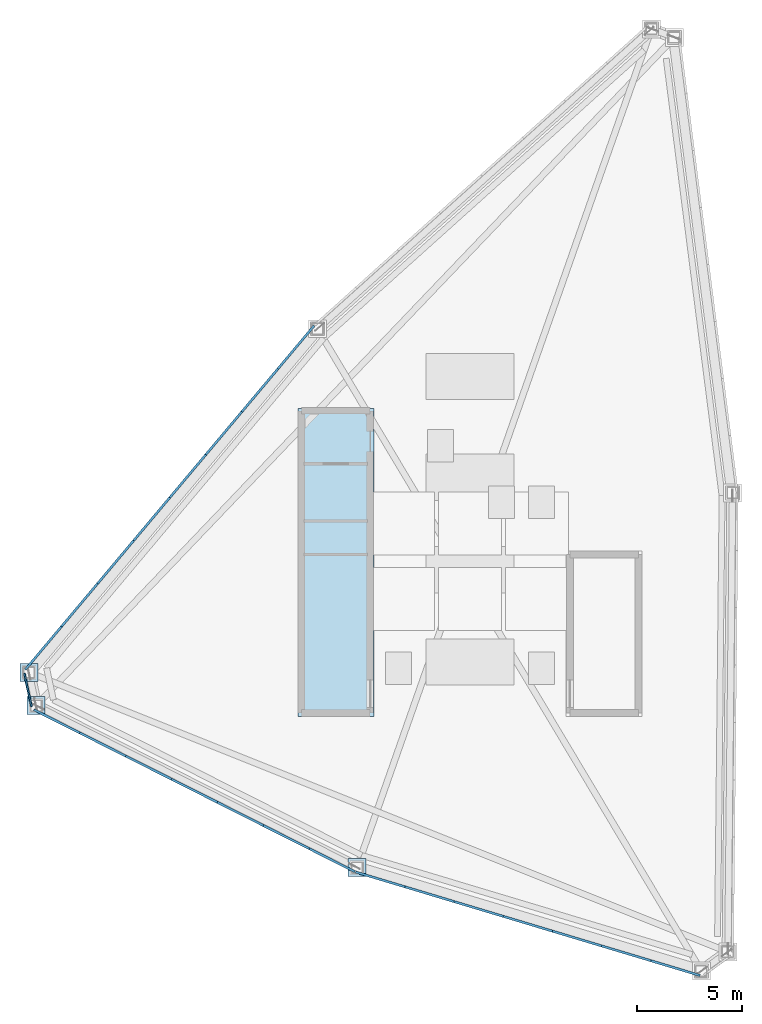
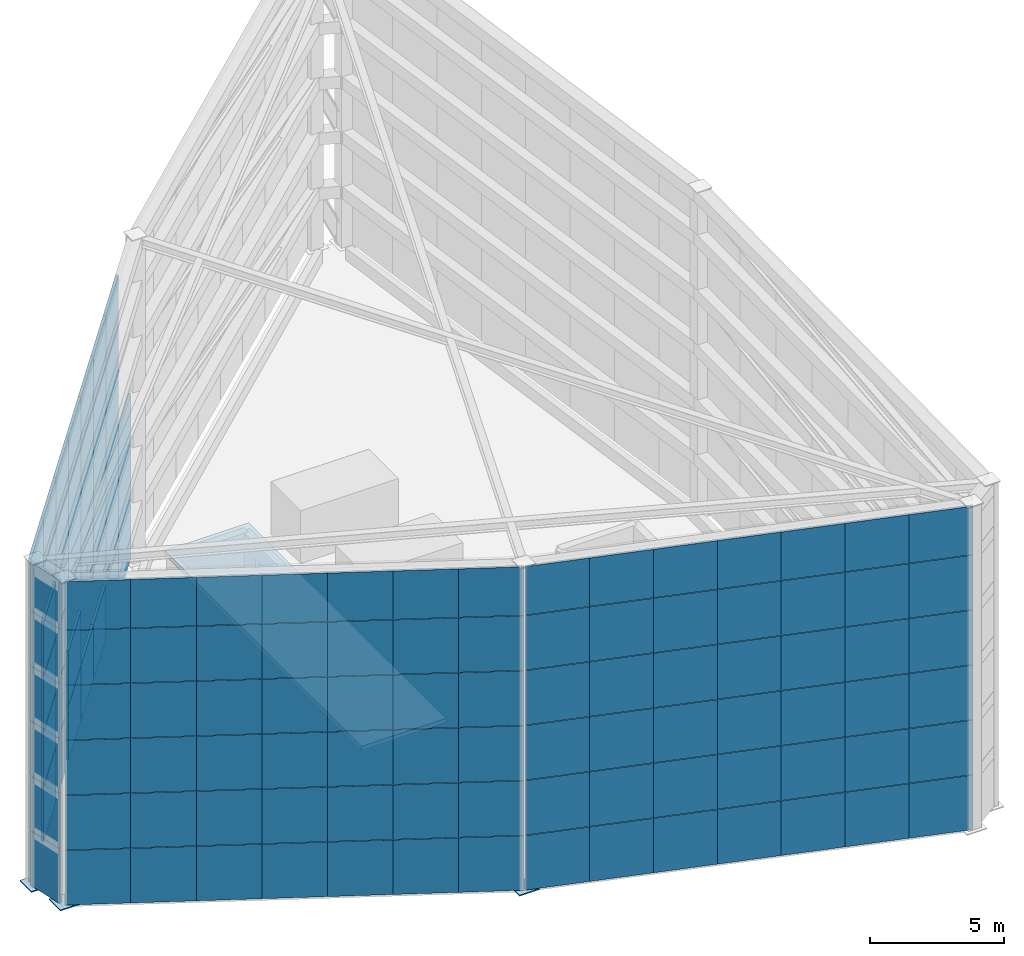
# One storey, part 2 of 9: 138 plates, 1 slab.
"""IFC4 building model written with IfcOpenShell, lengths in metres."""

import ifcopenshell
import ifcopenshell.guid

model = None  # the IFC model being written
_history = None  # IfcOwnerHistory: only IFC2X3 demands one
_inside = {}  # id of a spatial element -> (the spatial element, [elements in it])
_under = {}  # id of a project, library or spatial element -> (it, [spatial elements below it])
_declared = {}  # id of a project -> (the project, [libraries it declares])
_typed = {}  # id of a type object -> (the type object, [elements of that type])
_made_of = {}  # id of a material, layer set ... -> (it, [elements and type objects made of it])


def new_model(schema):
    """Start an empty IFC model of exactly this schema.

    Asked for "IFC4X3", IfcOpenShell would pick the latest addendum, in which some entities
    have other attributes; the version numbers below select the first issue.
    IFC2X3 requires an IfcOwnerHistory on every rooted entity: one is made here for all.
    """
    global model, _history
    if schema == "IFC4X3":
        model = ifcopenshell.file(schema_version=(4, 3, 0, 0))
    else:
        model = ifcopenshell.file(schema=schema)
    _inside.clear()
    _under.clear()
    _declared.clear()
    _typed.clear()
    _made_of.clear()
    _history = None
    if model.schema == "IFC2X3":
        org = make("IfcOrganization", Name="unknown")
        user = make(
            "IfcPersonAndOrganization",
            ThePerson=make("IfcPerson", FamilyName="unknown"),
            TheOrganization=org,
        )
        app = make(
            "IfcApplication",
            ApplicationDeveloper=org,
            Version="unknown",
            ApplicationFullName="unknown",
            ApplicationIdentifier="unknown",
        )
        _history = make(
            "IfcOwnerHistory",
            OwningUser=user,
            OwningApplication=app,
            ChangeAction="ADDED",
            CreationDate=0,
        )
    return model


def make(cls, **values):
    """One entity of the class cls with the attributes given. An attribute that is None is left unset."""
    return model.create_entity(
        cls, **{name: value for name, value in values.items() if value is not None}
    )


def rooted(cls, **values):
    """An entity with a GlobalId (a new one), such as an element, a storey or a relation."""
    return make(cls, GlobalId=ifcopenshell.guid.new(), OwnerHistory=_history, **values)


def si_unit(unit_type, name, prefix=None):
    """IfcSIUnit, for example si_unit("LENGTHUNIT", "METRE", prefix="MILLI")."""
    return make("IfcSIUnit", UnitType=unit_type, Prefix=prefix, Name=name)


def assignment(units):
    """IfcUnitAssignment: the units of a project."""
    return None if units is None else make("IfcUnitAssignment", Units=units)


def point(xyz):
    """IfcCartesianPoint."""
    return None if xyz is None else make("IfcCartesianPoint", Coordinates=xyz)


def direction(xyz):
    """IfcDirection."""
    return None if xyz is None else make("IfcDirection", DirectionRatios=xyz)


def frame(location, z_axis=None, x_axis=None):
    """IfcAxis2Placement3D, a coordinate frame: its origin and axes. An axis left out is left unset."""
    return make(
        "IfcAxis2Placement3D",
        Location=point(location),
        Axis=direction(z_axis),
        RefDirection=direction(x_axis),
    )


def frame_2d(location, x_axis=None):
    """IfcAxis2Placement2D, a coordinate frame in the plane: its origin and x axis."""
    return make(
        "IfcAxis2Placement2D", Location=point(location), RefDirection=direction(x_axis)
    )


def origin():
    """The frame at (0, 0, 0) with its axes left unset."""
    return frame((0.0, 0.0, 0.0))


def origin_2d():
    """The frame at (0, 0) in the plane with its x axis left unset."""
    return frame_2d((0.0, 0.0))


def place(relative_to, where):
    """IfcLocalPlacement: puts the frame where relative to a parent placement (None: the world)."""
    return make(
        "IfcLocalPlacement", PlacementRelTo=relative_to, RelativePlacement=where
    )


def context(
    kind, dimensions, precision=None, world=None, true_north=None, identifier=None
):
    """IfcGeometricRepresentationContext, for example the 3D "Model" context."""
    return make(
        "IfcGeometricRepresentationContext",
        ContextIdentifier=identifier,
        ContextType=kind,
        CoordinateSpaceDimension=dimensions,
        Precision=precision,
        WorldCoordinateSystem=world,
        TrueNorth=true_north,
    )


def subcontext(parent, identifier, kind, view, scale=None):
    """IfcGeometricRepresentationSubContext, for example "Body" below "Model"."""
    return make(
        "IfcGeometricRepresentationSubContext",
        ContextIdentifier=identifier,
        ContextType=kind,
        ParentContext=parent,
        TargetScale=scale,
        TargetView=view,
    )


def project(units=None, contexts=None):
    """IfcProject with its units and contexts."""
    return rooted(
        "IfcProject",
        Name="project",
        RepresentationContexts=contexts,
        UnitsInContext=assignment(units),
    )


def spatial(cls, under=None, at=None, **own):
    """A site, building, storey or space (cls), placed at a placement, below another one or the project."""
    s = rooted(cls, ObjectPlacement=at, **own)
    if under is not None:
        _under.setdefault(under.id(), (under, []))[1].append(s)
    return s


def polyline(points):
    """IfcPolyline through the points."""
    return make("IfcPolyline", Points=[point(p) for p in points])


def profile(cls, at=None, kind="AREA", **sizes):
    """A parametric profile (cls). Its sizes go by their IFC names, for example OverallWidth=200.0."""
    return make(cls, ProfileType=kind, Position=at, **sizes)


def rectangle(**sizes):
    """IfcRectangleProfileDef."""
    return profile("IfcRectangleProfileDef", **sizes)


def outline(outer, holes=None, kind="AREA"):
    """IfcArbitraryClosedProfileDef: a profile drawn as a closed curve; with holes, ...WithVoids."""
    if holes is None:
        return make("IfcArbitraryClosedProfileDef", ProfileType=kind, OuterCurve=outer)
    return make(
        "IfcArbitraryProfileDefWithVoids",
        ProfileType=kind,
        OuterCurve=outer,
        InnerCurves=holes,
    )


def extrude(swept, where, along, depth):
    """IfcExtrudedAreaSolid: the profile swept, set in the frame where, extruded along a direction by depth."""
    return make(
        "IfcExtrudedAreaSolid",
        SweptArea=swept,
        Position=where,
        ExtrudedDirection=direction(along),
        Depth=depth,
    )


def shape(context_of_items, identifier, shape_type, items):
    """IfcShapeRepresentation: the items that make up one representation, for example the "Body"."""
    return make(
        "IfcShapeRepresentation",
        ContextOfItems=context_of_items,
        RepresentationIdentifier=identifier,
        RepresentationType=shape_type,
        Items=items,
    )


def source(mapping_origin, context_of_items, identifier, shape_type, items):
    """IfcRepresentationMap: a shape defined once, which mapped items show again and again."""
    return make(
        "IfcRepresentationMap",
        MappingOrigin=mapping_origin,
        MappedRepresentation=shape(context_of_items, identifier, shape_type, items),
    )


def transform(
    local_origin,
    x_axis=None,
    y_axis=None,
    z_axis=None,
    scale=None,
    scale2=None,
    scale3=None,
    uniform=True,
):
    """IfcCartesianTransformationOperator3D, or its non-uniform kind. x_axis, y_axis, z_axis: its Axis1, 2, 3."""
    if uniform:
        return make(
            "IfcCartesianTransformationOperator3D",
            Axis1=direction(x_axis),
            Axis2=direction(y_axis),
            LocalOrigin=point(local_origin),
            Scale=scale,
            Axis3=direction(z_axis),
        )
    return make(
        "IfcCartesianTransformationOperator3DnonUniform",
        Axis1=direction(x_axis),
        Axis2=direction(y_axis),
        LocalOrigin=point(local_origin),
        Scale=scale,
        Axis3=direction(z_axis),
        Scale2=scale2,
        Scale3=scale3,
    )


def mapped(mapping_source, mapping_target):
    """IfcMappedItem: shows the shape of a source again, moved by a transform."""
    return make(
        "IfcMappedItem", MappingSource=mapping_source, MappingTarget=mapping_target
    )


def material(Name=None, Category=None):
    """IfcMaterial."""
    return make("IfcMaterial", Name=Name, Category=Category)


def layer(
    of_material, thickness, ventilated=None, Name=None, Category=None, Priority=None
):
    """IfcMaterialLayer: one layer of a wall or slab, of a material (None: an air gap)."""
    return make(
        "IfcMaterialLayer",
        Material=of_material,
        LayerThickness=thickness,
        IsVentilated=ventilated,
        Name=Name,
        Category=Category,
        Priority=Priority,
    )


def layer_set(layers, Name=None):
    """IfcMaterialLayerSet."""
    return make("IfcMaterialLayerSet", MaterialLayers=layers, LayerSetName=Name)


def made_of(thing, what):
    """Note that an element or type object is made of a material, layer set ...; save() writes the relation."""
    if what is not None:
        _made_of.setdefault(what.id(), (what, []))[1].append(thing)
    return thing


def type_object(cls, material=None, **own):
    """A type object (cls), such as IfcWallType, which elements share."""
    return made_of(rooted(cls, **own), material)


def element(
    cls,
    number,
    at=None,
    inside=None,
    cuts=None,
    type_object=None,
    material=None,
    context=None,
    identifier="Body",
    shape_type=None,
    held_by="IfcProductDefinitionShape",
    body=None,
    shapes=None,
    **own,
):
    """One element of the class cls, such as IfcWall. Its Tag is "e" and its number.

    at: its placement. inside: the storey or other place that contains it. cuts: it is an
    opening in that element (IfcRelVoidsElement). A single representation is given by context,
    identifier, shape_type and body (its items); several are given by shapes. held_by: the class
    of the entity that holds the representations. save() writes the other relations.
    """
    e = rooted(cls, Tag="e%d" % number, ObjectPlacement=at, **own)
    if body is not None:
        shapes = [shape(context, identifier, shape_type, body)]
    if shapes is not None:
        e.Representation = make(held_by, Representations=shapes)
    if inside is not None:
        _inside.setdefault(inside.id(), (inside, []))[1].append(e)
    if cuts is not None:
        rooted(
            "IfcRelVoidsElement", RelatingBuildingElement=cuts, RelatedOpeningElement=e
        )
    if type_object is not None:
        _typed.setdefault(type_object.id(), (type_object, []))[1].append(e)
    return made_of(e, material)


def aggregate(whole, parts):
    """IfcRelAggregates: a whole, such as a stair, and the parts it consists of."""
    return rooted("IfcRelAggregates", RelatingObject=whole, RelatedObjects=parts)


def save(model, path):
    """Write the relations noted so far, then the file.

    IfcRelAggregates (storeys below a building ...), IfcRelContainedInSpatialStructure (elements
    in a storey), IfcRelDefinesByType, IfcRelAssociatesMaterial and IfcRelDeclares: one each for
    every whole, place, type object, material and project.
    """
    for whole, parts in _under.values():
        aggregate(whole, parts)
    for where, things in _inside.values():
        rooted(
            "IfcRelContainedInSpatialStructure",
            RelatedElements=things,
            RelatingStructure=where,
        )
    for kind, things in _typed.values():
        rooted("IfcRelDefinesByType", RelatedObjects=things, RelatingType=kind)
    for what, things in _made_of.values():
        rooted("IfcRelAssociatesMaterial", RelatedObjects=things, RelatingMaterial=what)
    for by, libraries in _declared.values():
        rooted("IfcRelDeclares", RelatingContext=by, RelatedDefinitions=libraries)
    model.write(path)


model = new_model("IFC4")

# Units and contexts
model_context = context("Model", 3, precision=1e-05, world=origin(), true_north=direction((0.0, 1.0)))
body_context = subcontext(model_context, "Body", "Model", "MODEL_VIEW")
ifc_project = project(units=[si_unit("LENGTHUNIT", "METRE"), si_unit("AREAUNIT", "SQUARE_METRE"), si_unit("VOLUMEUNIT", "CUBIC_METRE"), si_unit("PLANEANGLEUNIT", "RADIAN"), si_unit("MASSUNIT", "GRAM", prefix="KILO")], contexts=[model_context])

# Site, building, storey
site_placement = place(None, origin())
site = spatial("IfcSite", under=ifc_project, at=site_placement, CompositionType="ELEMENT")
building_placement = place(site_placement, origin())
building = spatial("IfcBuilding", under=site, at=building_placement, Name="Olszyna Solenne Hotel", CompositionType="ELEMENT")
storey_placement = place(building_placement, frame((0.0, 0.0, 295.0)))
storey = spatial("IfcBuildingStorey", under=building, at=storey_placement, Name="Roof Crown", CompositionType="ELEMENT", Elevation=295.0)

# Slab
ifc_material_1 = material(Name="Concrete C40/50", Category="concrete")
ifc_layer = layer(ifc_material_1, 0.18994140625, Name="Concrete C40/50")
ifc_layer_set = layer_set([ifc_layer], Name="Concrete C40/50")
slab_type = type_object("IfcSlabType", Name="SL-LN190", PredefinedType="LANDING", material=ifc_layer_set)
slab_placement = place(storey_placement, frame((0.0, 0.0, 2.800048828125)))
element("IfcSlab", 1, at=slab_placement, inside=storey, type_object=slab_type, Name="Stair ST1 bulkhead top cap slab SL-CRN-ST1", PredefinedType="LANDING", context=body_context, shape_type="SweptSolid", body=[
    extrude(outline(polyline([(29.800048828125, 19.199951171875), (33.419921875, 19.199951171875), (33.419921875, 33.8798828125), (29.800048828125, 33.8798828125), (29.800048828125, 19.199951171875)])), origin(), (0.0, 0.0, 1.0), 0.18994140625),
])

# Plates
ifc_material_2 = material(Name="Steel S460M", Category="steel")
plate_type_1 = type_object("IfcPlateType", Name="GP-BP1", PredefinedType="USERDEFINED", material=ifc_material_2)
shared_shape_1 = source(origin(), body_context, "Body", "SweptSolid", [
    extrude(rectangle(XDim=0.85009765625, YDim=0.85009765625, at=origin_2d()), origin(), (0.0, 0.0, 1.0), 0.050048828125),
])
for number, where, z_axis, x_axis, name in (
    (2, (16.998779296875, 21.30419921875, -0.0498046875), (0.0, 0.0, 1.0), (1.0, 0.0, 0.0), "Crown frame baseplate GP-BP1 BP-CF-04"),
    (3, (17.33740234375, 19.724609375, -0.0498046875), (0.0, 0.0, 1.0), (1.0, 0.0, 0.0), "Crown frame baseplate GP-BP1 BP-CF-05"),
    (4, (32.621337890625, 12.012451171875, -0.0498046875), (0.0, 0.0, 1.0), (1.0, 0.0, 0.0), "Crown frame baseplate GP-BP1 BP-CF-06"),
):
    element("IfcPlate", number, at=place(storey_placement, frame(where, z_axis=z_axis, x_axis=x_axis)), inside=storey, type_object=plate_type_1, Name=name, ObjectType="GUSSET_PLATE", PredefinedType="USERDEFINED", context=body_context, shape_type="MappedRepresentation", body=[
        mapped(shared_shape_1, transform((0.0, 0.0, 0.0), x_axis=(1.0, 0.0, 0.0), y_axis=(0.0, 1.0, 0.0), z_axis=(0.0, 0.0, 1.0), scale=1.0)),
    ])
ifc_material_3 = material(Name="Terracotta cladding", Category="masonry")
plate_type_2 = type_object("IfcPlateType", Name="SC-CR1", PredefinedType="USERDEFINED", material=ifc_material_3)
shared_shape_2 = source(origin(), body_context, "Body", "SweptSolid", [
    extrude(rectangle(XDim=2.445556640625, YDim=0.110107421875, at=origin_2d()), origin(), (0.0, 0.0, 1.0), 2.47998046875),
])
for number, where, z_axis, x_axis, name in (
    (5, (47.782470703125, 7.227783203125, 0.010009765625), (0.0, 0.0, 1.0), (-0.957722128749, 0.28769484546, 0.0), "Terracotta perforated crown screen panel SC-CR1 SCR-T1-055"),
    (6, (45.440185546875, 7.931640625, 0.010009765625), (0.0, 0.0, 1.0), (-0.957722128749, 0.28769484546, 0.0), "Terracotta perforated crown screen panel SC-CR1 SCR-T1-056"),
    (7, (43.097900390625, 8.63525390625, 0.010009765625), (0.0, 0.0, 1.0), (-0.957722128749, 0.28769484546, 0.0), "Terracotta perforated crown screen panel SC-CR1 SCR-T1-057"),
    (8, (40.755859375, 9.3388671875, 0.010009765625), (0.0, 0.0, 1.0), (-0.957722128749, 0.28769484546, 0.0), "Terracotta perforated crown screen panel SC-CR1 SCR-T1-058"),
    (9, (38.41357421875, 10.04248046875, 0.010009765625), (0.0, 0.0, 1.0), (-0.957722128749, 0.28769484546, 0.0), "Terracotta perforated crown screen panel SC-CR1 SCR-T1-059"),
    (10, (36.0712890625, 10.746337890625, 0.010009765625), (0.0, 0.0, 1.0), (-0.957722128749, 0.28769484546, 0.0), "Terracotta perforated crown screen panel SC-CR1 SCR-T1-060"),
    (11, (33.729248046875, 11.449951171875, 0.010009765625), (0.0, 0.0, 1.0), (-0.957722128749, 0.28769484546, 0.0), "Terracotta perforated crown screen panel SC-CR1 SCR-T1-061"),
    (12, (47.782470703125, 7.227783203125, 2.510009765625), (0.0, 0.0, 1.0), (-0.957722128749, 0.28769484546, 0.0), "Terracotta perforated crown screen panel SC-CR1 SCR-T2-062"),
    (13, (45.440185546875, 7.931640625, 2.510009765625), (0.0, 0.0, 1.0), (-0.957722128749, 0.28769484546, 0.0), "Terracotta perforated crown screen panel SC-CR1 SCR-T2-063"),
    (14, (43.097900390625, 8.63525390625, 2.510009765625), (0.0, 0.0, 1.0), (-0.957722128749, 0.28769484546, 0.0), "Terracotta perforated crown screen panel SC-CR1 SCR-T2-064"),
    (15, (40.755859375, 9.3388671875, 2.510009765625), (0.0, 0.0, 1.0), (-0.957722128749, 0.28769484546, 0.0), "Terracotta perforated crown screen panel SC-CR1 SCR-T2-065"),
    (16, (38.41357421875, 10.04248046875, 2.510009765625), (0.0, 0.0, 1.0), (-0.957722128749, 0.28769484546, 0.0), "Terracotta perforated crown screen panel SC-CR1 SCR-T2-066"),
    (17, (36.0712890625, 10.746337890625, 2.510009765625), (0.0, 0.0, 1.0), (-0.957722128749, 0.28769484546, 0.0), "Terracotta perforated crown screen panel SC-CR1 SCR-T2-067"),
    (18, (33.729248046875, 11.449951171875, 2.510009765625), (0.0, 0.0, 1.0), (-0.957722128749, 0.28769484546, 0.0), "Terracotta perforated crown screen panel SC-CR1 SCR-T2-068"),
    (19, (47.782470703125, 7.227783203125, 5.010009765625), (0.0, 0.0, 1.0), (-0.957722128749, 0.28769484546, 0.0), "Terracotta perforated crown screen panel SC-CR1 SCR-T3-069"),
    (20, (45.440185546875, 7.931640625, 5.010009765625), (0.0, 0.0, 1.0), (-0.957722128749, 0.28769484546, 0.0), "Terracotta perforated crown screen panel SC-CR1 SCR-T3-070"),
    (21, (43.097900390625, 8.63525390625, 5.010009765625), (0.0, 0.0, 1.0), (-0.957722128749, 0.28769484546, 0.0), "Terracotta perforated crown screen panel SC-CR1 SCR-T3-071"),
    (22, (40.755859375, 9.3388671875, 5.010009765625), (0.0, 0.0, 1.0), (-0.957722128749, 0.28769484546, 0.0), "Terracotta perforated crown screen panel SC-CR1 SCR-T3-072"),
    (23, (38.41357421875, 10.04248046875, 5.010009765625), (0.0, 0.0, 1.0), (-0.957722128749, 0.28769484546, 0.0), "Terracotta perforated crown screen panel SC-CR1 SCR-T3-073"),
    (24, (36.0712890625, 10.746337890625, 5.010009765625), (0.0, 0.0, 1.0), (-0.957722128749, 0.28769484546, 0.0), "Terracotta perforated crown screen panel SC-CR1 SCR-T3-074"),
    (25, (33.729248046875, 11.449951171875, 5.010009765625), (0.0, 0.0, 1.0), (-0.957722128749, 0.28769484546, 0.0), "Terracotta perforated crown screen panel SC-CR1 SCR-T3-075"),
    (26, (47.782470703125, 7.227783203125, 7.510009765625), (0.0, 0.0, 1.0), (-0.957722128749, 0.28769484546, 0.0), "Terracotta perforated crown screen panel SC-CR1 SCR-T4-076"),
    (27, (45.440185546875, 7.931640625, 7.510009765625), (0.0, 0.0, 1.0), (-0.957722128749, 0.28769484546, 0.0), "Terracotta perforated crown screen panel SC-CR1 SCR-T4-077"),
    (28, (43.097900390625, 8.63525390625, 7.510009765625), (0.0, 0.0, 1.0), (-0.957722128749, 0.28769484546, 0.0), "Terracotta perforated crown screen panel SC-CR1 SCR-T4-078"),
    (29, (40.755859375, 9.3388671875, 7.510009765625), (0.0, 0.0, 1.0), (-0.957722128749, 0.28769484546, 0.0), "Terracotta perforated crown screen panel SC-CR1 SCR-T4-079"),
    (30, (38.41357421875, 10.04248046875, 7.510009765625), (0.0, 0.0, 1.0), (-0.957722128749, 0.28769484546, 0.0), "Terracotta perforated crown screen panel SC-CR1 SCR-T4-080"),
    (31, (36.0712890625, 10.746337890625, 7.510009765625), (0.0, 0.0, 1.0), (-0.957722128749, 0.28769484546, 0.0), "Terracotta perforated crown screen panel SC-CR1 SCR-T4-081"),
    (32, (33.729248046875, 11.449951171875, 7.510009765625), (0.0, 0.0, 1.0), (-0.957722128749, 0.28769484546, 0.0), "Terracotta perforated crown screen panel SC-CR1 SCR-T4-082"),
    (33, (47.782470703125, 7.227783203125, 10.010009765625), (0.0, 0.0, 1.0), (-0.957722128749, 0.28769484546, 0.0), "Terracotta perforated crown screen panel SC-CR1 SCR-T5-083"),
    (34, (45.440185546875, 7.931640625, 10.010009765625), (0.0, 0.0, 1.0), (-0.957722128749, 0.28769484546, 0.0), "Terracotta perforated crown screen panel SC-CR1 SCR-T5-084"),
    (35, (43.097900390625, 8.63525390625, 10.010009765625), (0.0, 0.0, 1.0), (-0.957722128749, 0.28769484546, 0.0), "Terracotta perforated crown screen panel SC-CR1 SCR-T5-085"),
    (36, (40.755859375, 9.3388671875, 10.010009765625), (0.0, 0.0, 1.0), (-0.957722128749, 0.28769484546, 0.0), "Terracotta perforated crown screen panel SC-CR1 SCR-T5-086"),
    (37, (38.41357421875, 10.04248046875, 10.010009765625), (0.0, 0.0, 1.0), (-0.957722128749, 0.28769484546, 0.0), "Terracotta perforated crown screen panel SC-CR1 SCR-T5-087"),
    (38, (36.0712890625, 10.746337890625, 10.010009765625), (0.0, 0.0, 1.0), (-0.957722128749, 0.28769484546, 0.0), "Terracotta perforated crown screen panel SC-CR1 SCR-T5-088"),
    (39, (33.729248046875, 11.449951171875, 10.010009765625), (0.0, 0.0, 1.0), (-0.957722128749, 0.28769484546, 0.0), "Terracotta perforated crown screen panel SC-CR1 SCR-T5-089"),
    (40, (31.4306640625, 12.366943359375, 0.010009765625), (0.0, 0.0, 1.0), (-0.892743150022, 0.450565941999, 0.0), "Terracotta perforated crown screen panel SC-CR1 SCR-T1-097"),
    (41, (29.247314453125, 13.46875, 0.010009765625), (0.0, 0.0, 1.0), (-0.892743150022, 0.450565941999, 0.0), "Terracotta perforated crown screen panel SC-CR1 SCR-T1-098"),
    (42, (27.063720703125, 14.570556640625, 0.010009765625), (0.0, 0.0, 1.0), (-0.892743150022, 0.450565941999, 0.0), "Terracotta perforated crown screen panel SC-CR1 SCR-T1-099"),
    (43, (24.88037109375, 15.672119140625, 0.010009765625), (0.0, 0.0, 1.0), (-0.892743150022, 0.450565941999, 0.0), "Terracotta perforated crown screen panel SC-CR1 SCR-T1-100"),
    (44, (22.697021484375, 16.77392578125, 0.010009765625), (0.0, 0.0, 1.0), (-0.892743150022, 0.450565941999, 0.0), "Terracotta perforated crown screen panel SC-CR1 SCR-T1-101"),
    (45, (20.513427734375, 17.875732421875, 0.010009765625), (0.0, 0.0, 1.0), (-0.892743150022, 0.450565941999, 0.0), "Terracotta perforated crown screen panel SC-CR1 SCR-T1-102"),
    (46, (18.330078125, 18.977294921875, 0.010009765625), (0.0, 0.0, 1.0), (-0.892743150022, 0.450565941999, 0.0), "Terracotta perforated crown screen panel SC-CR1 SCR-T1-103"),
    (47, (31.4306640625, 12.366943359375, 2.510009765625), (0.0, 0.0, 1.0), (-0.892743150022, 0.450565941999, 0.0), "Terracotta perforated crown screen panel SC-CR1 SCR-T2-104"),
    (48, (29.247314453125, 13.46875, 2.510009765625), (0.0, 0.0, 1.0), (-0.892743150022, 0.450565941999, 0.0), "Terracotta perforated crown screen panel SC-CR1 SCR-T2-105"),
    (49, (27.063720703125, 14.570556640625, 2.510009765625), (0.0, 0.0, 1.0), (-0.892743150022, 0.450565941999, 0.0), "Terracotta perforated crown screen panel SC-CR1 SCR-T2-106"),
    (50, (24.88037109375, 15.672119140625, 2.510009765625), (0.0, 0.0, 1.0), (-0.892743150022, 0.450565941999, 0.0), "Terracotta perforated crown screen panel SC-CR1 SCR-T2-107"),
    (51, (22.697021484375, 16.77392578125, 2.510009765625), (0.0, 0.0, 1.0), (-0.892743150022, 0.450565941999, 0.0), "Terracotta perforated crown screen panel SC-CR1 SCR-T2-108"),
    (52, (20.513427734375, 17.875732421875, 2.510009765625), (0.0, 0.0, 1.0), (-0.892743150022, 0.450565941999, 0.0), "Terracotta perforated crown screen panel SC-CR1 SCR-T2-109"),
    (53, (18.330078125, 18.977294921875, 2.510009765625), (0.0, 0.0, 1.0), (-0.892743150022, 0.450565941999, 0.0), "Terracotta perforated crown screen panel SC-CR1 SCR-T2-110"),
    (54, (31.4306640625, 12.366943359375, 5.010009765625), (0.0, 0.0, 1.0), (-0.892743150022, 0.450565941999, 0.0), "Terracotta perforated crown screen panel SC-CR1 SCR-T3-111"),
    (55, (29.247314453125, 13.46875, 5.010009765625), (0.0, 0.0, 1.0), (-0.892743150022, 0.450565941999, 0.0), "Terracotta perforated crown screen panel SC-CR1 SCR-T3-112"),
    (56, (27.063720703125, 14.570556640625, 5.010009765625), (0.0, 0.0, 1.0), (-0.892743150022, 0.450565941999, 0.0), "Terracotta perforated crown screen panel SC-CR1 SCR-T3-113"),
    (57, (24.88037109375, 15.672119140625, 5.010009765625), (0.0, 0.0, 1.0), (-0.892743150022, 0.450565941999, 0.0), "Terracotta perforated crown screen panel SC-CR1 SCR-T3-114"),
    (58, (22.697021484375, 16.77392578125, 5.010009765625), (0.0, 0.0, 1.0), (-0.892743150022, 0.450565941999, 0.0), "Terracotta perforated crown screen panel SC-CR1 SCR-T3-115"),
    (59, (20.513427734375, 17.875732421875, 5.010009765625), (0.0, 0.0, 1.0), (-0.892743150022, 0.450565941999, 0.0), "Terracotta perforated crown screen panel SC-CR1 SCR-T3-116"),
    (60, (18.330078125, 18.977294921875, 5.010009765625), (0.0, 0.0, 1.0), (-0.892743150022, 0.450565941999, 0.0), "Terracotta perforated crown screen panel SC-CR1 SCR-T3-117"),
    (61, (31.4306640625, 12.366943359375, 7.510009765625), (0.0, 0.0, 1.0), (-0.892743150022, 0.450565941999, 0.0), "Terracotta perforated crown screen panel SC-CR1 SCR-T4-118"),
    (62, (29.247314453125, 13.46875, 7.510009765625), (0.0, 0.0, 1.0), (-0.892743150022, 0.450565941999, 0.0), "Terracotta perforated crown screen panel SC-CR1 SCR-T4-119"),
    (63, (27.063720703125, 14.570556640625, 7.510009765625), (0.0, 0.0, 1.0), (-0.892743150022, 0.450565941999, 0.0), "Terracotta perforated crown screen panel SC-CR1 SCR-T4-120"),
    (64, (24.88037109375, 15.672119140625, 7.510009765625), (0.0, 0.0, 1.0), (-0.892743150022, 0.450565941999, 0.0), "Terracotta perforated crown screen panel SC-CR1 SCR-T4-121"),
    (65, (22.697021484375, 16.77392578125, 7.510009765625), (0.0, 0.0, 1.0), (-0.892743150022, 0.450565941999, 0.0), "Terracotta perforated crown screen panel SC-CR1 SCR-T4-122"),
    (66, (20.513427734375, 17.875732421875, 7.510009765625), (0.0, 0.0, 1.0), (-0.892743150022, 0.450565941999, 0.0), "Terracotta perforated crown screen panel SC-CR1 SCR-T4-123"),
    (67, (18.330078125, 18.977294921875, 7.510009765625), (0.0, 0.0, 1.0), (-0.892743150022, 0.450565941999, 0.0), "Terracotta perforated crown screen panel SC-CR1 SCR-T4-124"),
    (68, (31.4306640625, 12.366943359375, 10.010009765625), (0.0, 0.0, 1.0), (-0.892743150022, 0.450565941999, 0.0), "Terracotta perforated crown screen panel SC-CR1 SCR-T5-125"),
    (69, (29.247314453125, 13.46875, 10.010009765625), (0.0, 0.0, 1.0), (-0.892743150022, 0.450565941999, 0.0), "Terracotta perforated crown screen panel SC-CR1 SCR-T5-126"),
    (70, (27.063720703125, 14.570556640625, 10.010009765625), (0.0, 0.0, 1.0), (-0.892743150022, 0.450565941999, 0.0), "Terracotta perforated crown screen panel SC-CR1 SCR-T5-127"),
    (71, (24.88037109375, 15.672119140625, 10.010009765625), (0.0, 0.0, 1.0), (-0.892743150022, 0.450565941999, 0.0), "Terracotta perforated crown screen panel SC-CR1 SCR-T5-128"),
    (72, (22.697021484375, 16.77392578125, 10.010009765625), (0.0, 0.0, 1.0), (-0.892743150022, 0.450565941999, 0.0), "Terracotta perforated crown screen panel SC-CR1 SCR-T5-129"),
    (73, (20.513427734375, 17.875732421875, 10.010009765625), (0.0, 0.0, 1.0), (-0.892743150022, 0.450565941999, 0.0), "Terracotta perforated crown screen panel SC-CR1 SCR-T5-130"),
    (74, (18.330078125, 18.977294921875, 10.010009765625), (0.0, 0.0, 1.0), (-0.892743150022, 0.450565941999, 0.0), "Terracotta perforated crown screen panel SC-CR1 SCR-T5-131"),
):
    element("IfcPlate", number, at=place(storey_placement, frame(where, z_axis=z_axis, x_axis=x_axis)), inside=storey, type_object=plate_type_2, Name=name, ObjectType="SCREEN_PLATE", PredefinedType="USERDEFINED", context=body_context, shape_type="MappedRepresentation", body=[
        mapped(shared_shape_2, transform((0.0, 0.0, 0.0), x_axis=(1.0, 0.0, 0.0), y_axis=(0.0, 1.0, 0.0), z_axis=(0.0, 0.0, 1.0), scale=1.0)),
    ])
shared_shape_3 = source(origin(), body_context, "Body", "SweptSolid", [
    extrude(rectangle(XDim=2.445556640625, YDim=0.110107421875, at=origin_2d()), origin(), (0.0, 0.0, 1.0), 2.199951171875),
])
for number, where, z_axis, x_axis, name in (
    (75, (47.782470703125, 7.227783203125, 12.51025390625), (0.0, 0.0, 1.0), (-0.957722128749, 0.28769484546, 0.0), "Terracotta perforated crown screen panel SC-CR1 SCR-T6-090"),
    (76, (45.440185546875, 7.931640625, 12.51025390625), (0.0, 0.0, 1.0), (-0.957722128749, 0.28769484546, 0.0), "Terracotta perforated crown screen panel SC-CR1 SCR-T6-091"),
    (77, (43.097900390625, 8.63525390625, 12.51025390625), (0.0, 0.0, 1.0), (-0.957722128749, 0.28769484546, 0.0), "Terracotta perforated crown screen panel SC-CR1 SCR-T6-092"),
    (78, (40.755859375, 9.3388671875, 12.51025390625), (0.0, 0.0, 1.0), (-0.957722128749, 0.28769484546, 0.0), "Terracotta perforated crown screen panel SC-CR1 SCR-T6-093"),
    (79, (38.41357421875, 10.04248046875, 12.51025390625), (0.0, 0.0, 1.0), (-0.957722128749, 0.28769484546, 0.0), "Terracotta perforated crown screen panel SC-CR1 SCR-T6-094"),
    (80, (36.0712890625, 10.746337890625, 12.51025390625), (0.0, 0.0, 1.0), (-0.957722128749, 0.28769484546, 0.0), "Terracotta perforated crown screen panel SC-CR1 SCR-T6-095"),
    (81, (33.729248046875, 11.449951171875, 12.51025390625), (0.0, 0.0, 1.0), (-0.957722128749, 0.28769484546, 0.0), "Terracotta perforated crown screen panel SC-CR1 SCR-T6-096"),
    (82, (31.4306640625, 12.366943359375, 12.51025390625), (0.0, 0.0, 1.0), (-0.892743150022, 0.450565941999, 0.0), "Terracotta perforated crown screen panel SC-CR1 SCR-T6-132"),
    (83, (29.247314453125, 13.46875, 12.51025390625), (0.0, 0.0, 1.0), (-0.892743150022, 0.450565941999, 0.0), "Terracotta perforated crown screen panel SC-CR1 SCR-T6-133"),
    (84, (27.063720703125, 14.570556640625, 12.51025390625), (0.0, 0.0, 1.0), (-0.892743150022, 0.450565941999, 0.0), "Terracotta perforated crown screen panel SC-CR1 SCR-T6-134"),
    (85, (24.88037109375, 15.672119140625, 12.51025390625), (0.0, 0.0, 1.0), (-0.892743150022, 0.450565941999, 0.0), "Terracotta perforated crown screen panel SC-CR1 SCR-T6-135"),
    (86, (22.697021484375, 16.77392578125, 12.51025390625), (0.0, 0.0, 1.0), (-0.892743150022, 0.450565941999, 0.0), "Terracotta perforated crown screen panel SC-CR1 SCR-T6-136"),
    (87, (20.513427734375, 17.875732421875, 12.51025390625), (0.0, 0.0, 1.0), (-0.892743150022, 0.450565941999, 0.0), "Terracotta perforated crown screen panel SC-CR1 SCR-T6-137"),
    (88, (18.330078125, 18.977294921875, 12.51025390625), (0.0, 0.0, 1.0), (-0.892743150022, 0.450565941999, 0.0), "Terracotta perforated crown screen panel SC-CR1 SCR-T6-138"),
):
    element("IfcPlate", number, at=place(storey_placement, frame(where, z_axis=z_axis, x_axis=x_axis)), inside=storey, type_object=plate_type_2, Name=name, ObjectType="SCREEN_PLATE", PredefinedType="USERDEFINED", context=body_context, shape_type="MappedRepresentation", body=[
        mapped(shared_shape_3, transform((0.0, 0.0, 0.0), x_axis=(1.0, 0.0, 0.0), y_axis=(0.0, 1.0, 0.0), z_axis=(0.0, 0.0, 1.0), scale=1.0)),
    ])
plate_type_3 = type_object("IfcPlateType", Name="SC-CR2", PredefinedType="USERDEFINED", material=ifc_material_3)
shared_shape_4 = source(origin(), body_context, "Body", "SweptSolid", [
    extrude(rectangle(XDim=1.615478515625, YDim=0.090087890625, at=origin_2d()), origin(), (0.0, 0.0, 1.0), 2.47998046875),
])
for number, where, z_axis, x_axis, name in (
    (89, (16.952880859375, 20.468505859375, 0.010009765625), (0.0, 0.0, 1.0), (-0.209618562904, 0.977783236759, 0.0), "Terracotta perforated crown screen panel SC-CR2 SCR-T1-139"),
    (90, (16.952880859375, 20.468505859375, 2.510009765625), (0.0, 0.0, 1.0), (-0.209618562904, 0.977783236759, 0.0), "Terracotta perforated crown screen panel SC-CR2 SCR-T2-140"),
    (91, (16.952880859375, 20.468505859375, 5.010009765625), (0.0, 0.0, 1.0), (-0.209618562904, 0.977783236759, 0.0), "Terracotta perforated crown screen panel SC-CR2 SCR-T3-141"),
    (92, (16.952880859375, 20.468505859375, 7.510009765625), (0.0, 0.0, 1.0), (-0.209618562904, 0.977783236759, 0.0), "Terracotta perforated crown screen panel SC-CR2 SCR-T4-142"),
    (93, (16.952880859375, 20.468505859375, 10.010009765625), (0.0, 0.0, 1.0), (-0.209618562904, 0.977783236759, 0.0), "Terracotta perforated crown screen panel SC-CR2 SCR-T5-143"),
):
    element("IfcPlate", number, at=place(storey_placement, frame(where, z_axis=z_axis, x_axis=x_axis)), inside=storey, type_object=plate_type_3, Name=name, ObjectType="SCREEN_PLATE", PredefinedType="USERDEFINED", context=body_context, shape_type="MappedRepresentation", body=[
        mapped(shared_shape_4, transform((0.0, 0.0, 0.0), x_axis=(1.0, 0.0, 0.0), y_axis=(0.0, 1.0, 0.0), z_axis=(0.0, 0.0, 1.0), scale=1.0)),
    ])
shared_shape_5 = source(origin(), body_context, "Body", "SweptSolid", [
    extrude(rectangle(XDim=1.615478515625, YDim=0.090087890625, at=origin_2d()), origin(), (0.0, 0.0, 1.0), 2.199951171875),
])
plate_placement = place(storey_placement, frame((16.952880859375, 20.468505859375, 12.51025390625), z_axis=(0.0, 0.0, 1.0), x_axis=(-0.209618562904, 0.977783236759, 0.0)))
element("IfcPlate", 94, at=plate_placement, inside=storey, type_object=plate_type_3, Name="Terracotta perforated crown screen panel SC-CR2 SCR-T6-144", ObjectType="SCREEN_PLATE", PredefinedType="USERDEFINED", context=body_context, shape_type="MappedRepresentation", body=[
    mapped(shared_shape_5, transform((0.0, 0.0, 0.0), x_axis=(1.0, 0.0, 0.0), y_axis=(0.0, 1.0, 0.0), z_axis=(0.0, 0.0, 1.0), scale=1.0)),
])
shared_shape_6 = source(origin(), body_context, "Body", "SweptSolid", [
    extrude(rectangle(XDim=2.6708984375, YDim=0.110107421875, at=origin_2d()), origin(), (0.0, 0.0, 1.0), 2.47998046875),
])
for number, where, z_axis, x_axis, name in (
    (95, (17.689208984375, 22.468505859375, 0.010009765625), (0.0, 0.0, 1.0), (0.643054970475, 0.76582002125, 0.0), "Terracotta perforated crown screen panel SC-CR1 SCR-T1-145"),
    (96, (19.40673828125, 24.513916015625, 0.010009765625), (0.0, 0.0, 1.0), (0.643054970475, 0.76582002125, 0.0), "Terracotta perforated crown screen panel SC-CR1 SCR-T1-146"),
    (97, (21.12451171875, 26.559326171875, 0.010009765625), (0.0, 0.0, 1.0), (0.643054970475, 0.76582002125, 0.0), "Terracotta perforated crown screen panel SC-CR1 SCR-T1-147"),
    (98, (22.842041015625, 28.60498046875, 0.010009765625), (0.0, 0.0, 1.0), (0.643054970475, 0.76582002125, 0.0), "Terracotta perforated crown screen panel SC-CR1 SCR-T1-148"),
    (99, (24.559814453125, 30.650390625, 0.010009765625), (0.0, 0.0, 1.0), (0.643054970475, 0.76582002125, 0.0), "Terracotta perforated crown screen panel SC-CR1 SCR-T1-149"),
    (100, (26.27734375, 32.69580078125, 0.010009765625), (0.0, 0.0, 1.0), (0.643054970475, 0.76582002125, 0.0), "Terracotta perforated crown screen panel SC-CR1 SCR-T1-150"),
    (101, (27.9951171875, 34.741455078125, 0.010009765625), (0.0, 0.0, 1.0), (0.643054970475, 0.76582002125, 0.0), "Terracotta perforated crown screen panel SC-CR1 SCR-T1-151"),
    (102, (29.712646484375, 36.786865234375, 0.010009765625), (0.0, 0.0, 1.0), (0.643054970475, 0.76582002125, 0.0), "Terracotta perforated crown screen panel SC-CR1 SCR-T1-152"),
    (103, (17.689208984375, 22.468505859375, 2.510009765625), (0.0, 0.0, 1.0), (0.643054970475, 0.76582002125, 0.0), "Terracotta perforated crown screen panel SC-CR1 SCR-T2-153"),
    (104, (19.40673828125, 24.513916015625, 2.510009765625), (0.0, 0.0, 1.0), (0.643054970475, 0.76582002125, 0.0), "Terracotta perforated crown screen panel SC-CR1 SCR-T2-154"),
    (105, (21.12451171875, 26.559326171875, 2.510009765625), (0.0, 0.0, 1.0), (0.643054970475, 0.76582002125, 0.0), "Terracotta perforated crown screen panel SC-CR1 SCR-T2-155"),
    (106, (22.842041015625, 28.60498046875, 2.510009765625), (0.0, 0.0, 1.0), (0.643054970475, 0.76582002125, 0.0), "Terracotta perforated crown screen panel SC-CR1 SCR-T2-156"),
    (107, (24.559814453125, 30.650390625, 2.510009765625), (0.0, 0.0, 1.0), (0.643054970475, 0.76582002125, 0.0), "Terracotta perforated crown screen panel SC-CR1 SCR-T2-157"),
    (108, (26.27734375, 32.69580078125, 2.510009765625), (0.0, 0.0, 1.0), (0.643054970475, 0.76582002125, 0.0), "Terracotta perforated crown screen panel SC-CR1 SCR-T2-158"),
    (109, (27.9951171875, 34.741455078125, 2.510009765625), (0.0, 0.0, 1.0), (0.643054970475, 0.76582002125, 0.0), "Terracotta perforated crown screen panel SC-CR1 SCR-T2-159"),
    (110, (29.712646484375, 36.786865234375, 2.510009765625), (0.0, 0.0, 1.0), (0.643054970475, 0.76582002125, 0.0), "Terracotta perforated crown screen panel SC-CR1 SCR-T2-160"),
    (111, (17.689208984375, 22.468505859375, 5.010009765625), (0.0, 0.0, 1.0), (0.643054970475, 0.76582002125, 0.0), "Terracotta perforated crown screen panel SC-CR1 SCR-T3-161"),
    (112, (19.40673828125, 24.513916015625, 5.010009765625), (0.0, 0.0, 1.0), (0.643054970475, 0.76582002125, 0.0), "Terracotta perforated crown screen panel SC-CR1 SCR-T3-162"),
    (113, (21.12451171875, 26.559326171875, 5.010009765625), (0.0, 0.0, 1.0), (0.643054970475, 0.76582002125, 0.0), "Terracotta perforated crown screen panel SC-CR1 SCR-T3-163"),
    (114, (22.842041015625, 28.60498046875, 5.010009765625), (0.0, 0.0, 1.0), (0.643054970475, 0.76582002125, 0.0), "Terracotta perforated crown screen panel SC-CR1 SCR-T3-164"),
    (115, (24.559814453125, 30.650390625, 5.010009765625), (0.0, 0.0, 1.0), (0.643054970475, 0.76582002125, 0.0), "Terracotta perforated crown screen panel SC-CR1 SCR-T3-165"),
    (116, (26.27734375, 32.69580078125, 5.010009765625), (0.0, 0.0, 1.0), (0.643054970475, 0.76582002125, 0.0), "Terracotta perforated crown screen panel SC-CR1 SCR-T3-166"),
    (117, (27.9951171875, 34.741455078125, 5.010009765625), (0.0, 0.0, 1.0), (0.643054970475, 0.76582002125, 0.0), "Terracotta perforated crown screen panel SC-CR1 SCR-T3-167"),
    (118, (29.712646484375, 36.786865234375, 5.010009765625), (0.0, 0.0, 1.0), (0.643054970475, 0.76582002125, 0.0), "Terracotta perforated crown screen panel SC-CR1 SCR-T3-168"),
    (119, (17.689208984375, 22.468505859375, 7.510009765625), (0.0, 0.0, 1.0), (0.643054970475, 0.76582002125, 0.0), "Terracotta perforated crown screen panel SC-CR1 SCR-T4-169"),
    (120, (19.40673828125, 24.513916015625, 7.510009765625), (0.0, 0.0, 1.0), (0.643054970475, 0.76582002125, 0.0), "Terracotta perforated crown screen panel SC-CR1 SCR-T4-170"),
    (121, (21.12451171875, 26.559326171875, 7.510009765625), (0.0, 0.0, 1.0), (0.643054970475, 0.76582002125, 0.0), "Terracotta perforated crown screen panel SC-CR1 SCR-T4-171"),
    (122, (22.842041015625, 28.60498046875, 7.510009765625), (0.0, 0.0, 1.0), (0.643054970475, 0.76582002125, 0.0), "Terracotta perforated crown screen panel SC-CR1 SCR-T4-172"),
    (123, (24.559814453125, 30.650390625, 7.510009765625), (0.0, 0.0, 1.0), (0.643054970475, 0.76582002125, 0.0), "Terracotta perforated crown screen panel SC-CR1 SCR-T4-173"),
    (124, (26.27734375, 32.69580078125, 7.510009765625), (0.0, 0.0, 1.0), (0.643054970475, 0.76582002125, 0.0), "Terracotta perforated crown screen panel SC-CR1 SCR-T4-174"),
    (125, (27.9951171875, 34.741455078125, 7.510009765625), (0.0, 0.0, 1.0), (0.643054970475, 0.76582002125, 0.0), "Terracotta perforated crown screen panel SC-CR1 SCR-T4-175"),
    (126, (17.689208984375, 22.468505859375, 10.010009765625), (0.0, 0.0, 1.0), (0.643054970475, 0.76582002125, 0.0), "Terracotta perforated crown screen panel SC-CR1 SCR-T5-177"),
    (127, (19.40673828125, 24.513916015625, 10.010009765625), (0.0, 0.0, 1.0), (0.643054970475, 0.76582002125, 0.0), "Terracotta perforated crown screen panel SC-CR1 SCR-T5-178"),
    (128, (21.12451171875, 26.559326171875, 10.010009765625), (0.0, 0.0, 1.0), (0.643054970475, 0.76582002125, 0.0), "Terracotta perforated crown screen panel SC-CR1 SCR-T5-179"),
    (129, (22.842041015625, 28.60498046875, 10.010009765625), (0.0, 0.0, 1.0), (0.643054970475, 0.76582002125, 0.0), "Terracotta perforated crown screen panel SC-CR1 SCR-T5-180"),
    (130, (24.559814453125, 30.650390625, 10.010009765625), (0.0, 0.0, 1.0), (0.643054970475, 0.76582002125, 0.0), "Terracotta perforated crown screen panel SC-CR1 SCR-T5-181"),
    (131, (26.27734375, 32.69580078125, 10.010009765625), (0.0, 0.0, 1.0), (0.643054970475, 0.76582002125, 0.0), "Terracotta perforated crown screen panel SC-CR1 SCR-T5-182"),
    (132, (27.9951171875, 34.741455078125, 10.010009765625), (0.0, 0.0, 1.0), (0.643054970475, 0.76582002125, 0.0), "Terracotta perforated crown screen panel SC-CR1 SCR-T5-183"),
):
    element("IfcPlate", number, at=place(storey_placement, frame(where, z_axis=z_axis, x_axis=x_axis)), inside=storey, type_object=plate_type_2, Name=name, ObjectType="SCREEN_PLATE", PredefinedType="USERDEFINED", context=body_context, shape_type="MappedRepresentation", body=[
        mapped(shared_shape_6, transform((0.0, 0.0, 0.0), x_axis=(1.0, 0.0, 0.0), y_axis=(0.0, 1.0, 0.0), z_axis=(0.0, 0.0, 1.0), scale=1.0)),
    ])
shared_shape_7 = source(origin(), body_context, "Body", "SweptSolid", [
    extrude(rectangle(XDim=2.6708984375, YDim=0.110107421875, at=origin_2d()), origin(), (0.0, 0.0, 1.0), 2.199951171875),
])
for number, where, z_axis, x_axis, name in (
    (133, (17.689208984375, 22.468505859375, 12.51025390625), (0.0, 0.0, 1.0), (0.643054970475, 0.76582002125, 0.0), "Terracotta perforated crown screen panel SC-CR1 SCR-T6-185"),
    (134, (19.40673828125, 24.513916015625, 12.51025390625), (0.0, 0.0, 1.0), (0.643054970475, 0.76582002125, 0.0), "Terracotta perforated crown screen panel SC-CR1 SCR-T6-186"),
    (135, (21.12451171875, 26.559326171875, 12.51025390625), (0.0, 0.0, 1.0), (0.643054970475, 0.76582002125, 0.0), "Terracotta perforated crown screen panel SC-CR1 SCR-T6-187"),
    (136, (22.842041015625, 28.60498046875, 12.51025390625), (0.0, 0.0, 1.0), (0.643054970475, 0.76582002125, 0.0), "Terracotta perforated crown screen panel SC-CR1 SCR-T6-188"),
    (137, (24.559814453125, 30.650390625, 12.51025390625), (0.0, 0.0, 1.0), (0.643054970475, 0.76582002125, 0.0), "Terracotta perforated crown screen panel SC-CR1 SCR-T6-189"),
    (138, (26.27734375, 32.69580078125, 12.51025390625), (0.0, 0.0, 1.0), (0.643054970475, 0.76582002125, 0.0), "Terracotta perforated crown screen panel SC-CR1 SCR-T6-190"),
    (139, (27.9951171875, 34.741455078125, 12.51025390625), (0.0, 0.0, 1.0), (0.643054970475, 0.76582002125, 0.0), "Terracotta perforated crown screen panel SC-CR1 SCR-T6-191"),
):
    element("IfcPlate", number, at=place(storey_placement, frame(where, z_axis=z_axis, x_axis=x_axis)), inside=storey, type_object=plate_type_2, Name=name, ObjectType="SCREEN_PLATE", PredefinedType="USERDEFINED", context=body_context, shape_type="MappedRepresentation", body=[
        mapped(shared_shape_7, transform((0.0, 0.0, 0.0), x_axis=(1.0, 0.0, 0.0), y_axis=(0.0, 1.0, 0.0), z_axis=(0.0, 0.0, 1.0), scale=1.0)),
    ])

save(model, "model.ifc")
